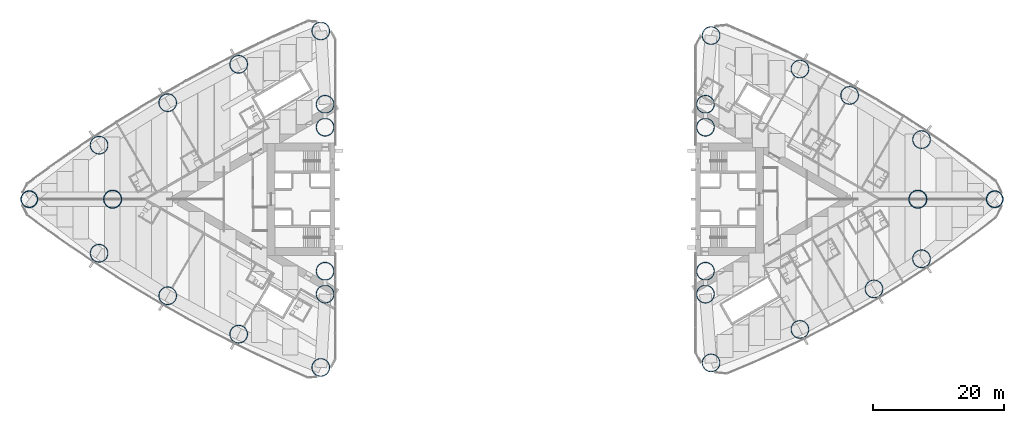
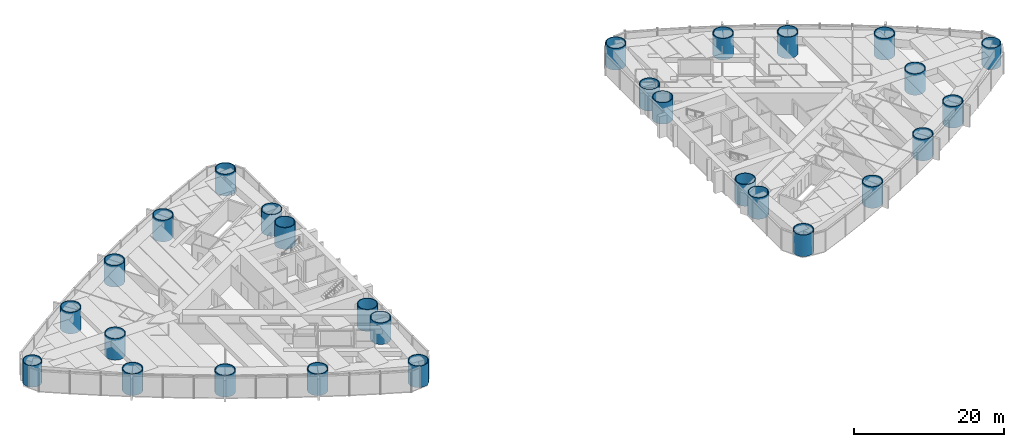
# One storey, part 1 of 19: 28 columns.
"""IFC4 building model written with IfcOpenShell, lengths in metres."""

from ifc_helpers import new_model, si_unit, direction, frame, origin, origin_2d, place, context, subcontext, project, spatial, hollow_circle, extrude, material, material_profile, profile_set, type_object, element, save


model = new_model("IFC4")

# Units and contexts
model_context = context("Model", 3, precision=1e-05, world=origin(), true_north=direction((0.0, 1.0)))
body_context = subcontext(model_context, "Body", "Model", "MODEL_VIEW")
ifc_project = project(units=[si_unit("LENGTHUNIT", "METRE"), si_unit("AREAUNIT", "SQUARE_METRE"), si_unit("VOLUMEUNIT", "CUBIC_METRE"), si_unit("PLANEANGLEUNIT", "RADIAN"), si_unit("MASSUNIT", "GRAM", prefix="KILO")], contexts=[model_context])

# Site, building, storey
site_placement = place(None, origin())
site = spatial("IfcSite", under=ifc_project, at=site_placement, CompositionType="ELEMENT")
building_placement = place(site_placement, origin())
building = spatial("IfcBuilding", under=site, at=building_placement, Name="Lancet Gate Hotel", CompositionType="ELEMENT")
storey_placement = place(building_placement, frame((0.0, 0.0, 63.5)))
storey = spatial("IfcBuildingStorey", under=building, at=storey_placement, Name="L16", CompositionType="ELEMENT", Elevation=63.5)

# Columns
ifc_material_1 = material(Name="Composite filled tube, grade 460 plate, grade 80/95 fill", Category="composite")
ifc_material_profile_1 = material_profile(ifc_material_1, hollow_circle(Radius=1.39990234375, WallThickness=0.10009765625, at=origin_2d()), Name="CHS 2800x100")
ifc_profile_set_1 = profile_set([ifc_material_profile_1], Name="Composite filled tube, grade 460 plate, grade 80/95 fill")
column_type_1 = type_object("IfcColumnType", Name="Apex column CFT CHS 2800x100", PredefinedType="COLUMN", material=ifc_profile_set_1)
for number, where, z_axis, x_axis, name in (
    (1, (-61.5, 0.0, 0.0), (0.0, 0.0, 1.0), (1.0, 0.0, 0.0), "T1 column AX L16"),
    (2, (61.5, 0.0, 0.0), (0.0, 0.0, 1.0), (1.0, 0.0, 0.0), "T2 column AX L16"),
):
    element("IfcColumn", number, at=place(storey_placement, frame(where, z_axis=z_axis, x_axis=x_axis)), inside=storey, type_object=column_type_1, Name=name, PredefinedType="COLUMN", context=body_context, shape_type="SweptSolid", body=[
        extrude(hollow_circle(Radius=1.39990234375, WallThickness=0.10009765625, at=origin_2d()), origin(), (0.0, 0.0, 1.0), 3.5),
    ])
ifc_material_2 = material(Name="Composite filled tube, grade 460 plate, grade 80/95 fill", Category="composite")
ifc_material_profile_2 = material_profile(ifc_material_2, hollow_circle(Radius=1.300048828125, WallThickness=0.10009765625, at=origin_2d()), Name="CHS 2600x100")
ifc_profile_set_2 = profile_set([ifc_material_profile_2], Name="Composite filled tube, grade 460 plate, grade 80/95 fill")
column_type_2 = type_object("IfcColumnType", Name="Apex corner column CFT CHS 2600x100", PredefinedType="COLUMN", material=ifc_profile_set_2)
for number, where, z_axis, x_axis, name in (
    (3, (-74.235107421875, 0.0, 0.0), (0.0, 0.0, 1.0), (1.0, 0.0, 0.0), "T1 column CA L16"),
    (4, (73.2392578125, 0.0, 0.0), (0.0, 0.0, 1.0), (1.0, 0.0, 0.0), "T2 column CA L16"),
):
    element("IfcColumn", number, at=place(storey_placement, frame(where, z_axis=z_axis, x_axis=x_axis)), inside=storey, type_object=column_type_2, Name=name, PredefinedType="COLUMN", context=body_context, shape_type="SweptSolid", body=[
        extrude(hollow_circle(Radius=1.300048828125, WallThickness=0.10009765625, at=origin_2d()), origin(), (0.0, 0.0, 1.0), 3.5),
    ])
ifc_material_3 = material(Name="Composite filled tube, grade 460 plate, grade 80/95 fill", Category="composite")
ifc_material_profile_3 = material_profile(ifc_material_3, hollow_circle(Radius=1.39990234375, WallThickness=0.1201171875, at=origin_2d()), Name="CHS 2800x120")
ifc_profile_set_3 = profile_set([ifc_material_profile_3], Name="Composite filled tube, grade 460 plate, grade 80/95 fill")
column_type_3 = type_object("IfcColumnType", Name="Perimeter column CFT CHS 2800x120", PredefinedType="COLUMN", material=ifc_profile_set_3)
for number, where, z_axis, x_axis, name in (
    (5, (-29.703369140625, -25.70263671875, 0.0), (0.0, 0.0, 1.0), (1.0, 0.0, 0.0), "T1 column CN L16"),
    (6, (-29.703369140625, 25.70263671875, 0.0), (0.0, 0.0, 1.0), (1.0, 0.0, 0.0), "T1 column CS L16"),
    (7, (-29.050048828125, -11.0, 0.0), (0.0, 0.0, 1.0), (1.0, 0.0, 0.0), "T1 column IN L16"),
    (8, (-29.050048828125, 11.0, 0.0), (0.0, 0.0, 1.0), (1.0, 0.0, 0.0), "T1 column IS L16"),
    (9, (-29.050048828125, 14.5, 0.0), (0.0, 0.0, 1.0), (1.0, 0.0, 0.0), "T1 column IT L16"),
    (10, (-29.050048828125, -14.5, 0.0), (0.0, 0.0, 1.0), (1.0, 0.0, 0.0), "T1 column JT L16"),
    (11, (-63.57177734375, -8.255126953125, 0.0), (0.0, 0.0, 1.0), (1.0, 0.0, 0.0), "T1 column ON1 L16"),
    (12, (-53.090087890625, -14.744873046875, 0.0), (0.0, 0.0, 1.0), (1.0, 0.0, 0.0), "T1 column ON2 L16"),
    (13, (-42.2451171875, -20.607421875, 0.0), (0.0, 0.0, 1.0), (1.0, 0.0, 0.0), "T1 column ON3 L16"),
    (14, (-42.2451171875, 20.607421875, 0.0), (0.0, 0.0, 1.0), (1.0, 0.0, 0.0), "T1 column OS1 L16"),
    (15, (-53.090087890625, 14.744873046875, 0.0), (0.0, 0.0, 1.0), (1.0, 0.0, 0.0), "T1 column OS2 L16"),
    (16, (-63.57177734375, 8.255126953125, 0.0), (0.0, 0.0, 1.0), (1.0, 0.0, 0.0), "T1 column OS3 L16"),
    (17, (29.9111328125, 25.00244140625, 0.0), (0.0, 0.0, 1.0), (1.0, 0.0, 0.0), "T2 column CN L16"),
    (18, (29.9111328125, -25.00244140625, 0.0), (0.0, 0.0, 1.0), (1.0, 0.0, 0.0), "T2 column CS L16"),
    (19, (29.050048828125, 11.0, 0.0), (0.0, 0.0, 1.0), (1.0, 0.0, 0.0), "T2 column IN L16"),
    (20, (29.050048828125, -11.0, 0.0), (0.0, 0.0, 1.0), (1.0, 0.0, 0.0), "T2 column IS L16"),
    (21, (29.050048828125, -14.5, 0.0), (0.0, 0.0, 1.0), (1.0, 0.0, 0.0), "T2 column IT L16"),
    (22, (29.050048828125, 14.5, 0.0), (0.0, 0.0, 1.0), (1.0, 0.0, 0.0), "T2 column JT L16"),
    (23, (62.059326171875, 9.10498046875, 0.0), (0.0, 0.0, 1.0), (1.0, 0.0, 0.0), "T2 column ON1 L16"),
    (24, (51.07763671875, 15.8583984375, 0.0), (0.0, 0.0, 1.0), (1.0, 0.0, 0.0), "T2 column ON2 L16"),
    (25, (43.484130859375, 19.886474609375, 0.0), (0.0, 0.0, 1.0), (1.0, 0.0, 0.0), "T2 column ON3 L16"),
    (26, (43.484130859375, -19.886474609375, 0.0), (0.0, 0.0, 1.0), (1.0, 0.0, 0.0), "T2 column OS1 L16"),
    (27, (54.795166015625, -13.70068359375, 0.0), (0.0, 0.0, 1.0), (1.0, 0.0, 0.0), "T2 column OS2 L16"),
    (28, (62.059326171875, -9.10498046875, 0.0), (0.0, 0.0, 1.0), (1.0, 0.0, 0.0), "T2 column OS3 L16"),
):
    element("IfcColumn", number, at=place(storey_placement, frame(where, z_axis=z_axis, x_axis=x_axis)), inside=storey, type_object=column_type_3, Name=name, PredefinedType="COLUMN", context=body_context, shape_type="SweptSolid", body=[
        extrude(hollow_circle(Radius=1.39990234375, WallThickness=0.1201171875, at=origin_2d()), origin(), (0.0, 0.0, 1.0), 3.5),
    ])

save(model, "model.ifc")
